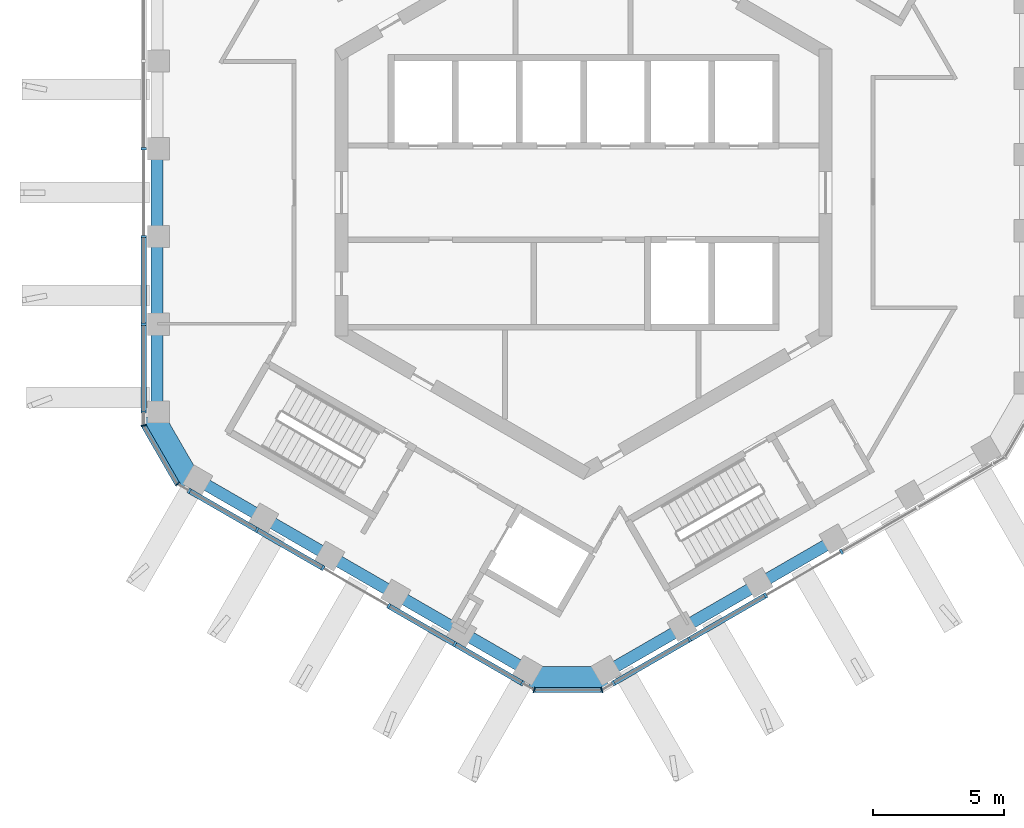
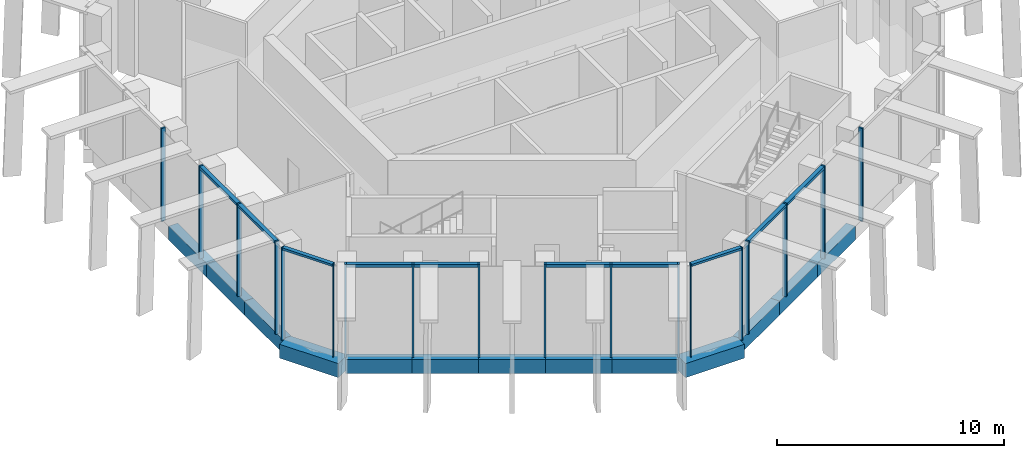
# One storey, part 2 of 17: 24 members, 13 beams, 5 elements without a shape of their own.
"""IFC4 building model written with IfcOpenShell, lengths in metres."""

import ifcopenshell
import ifcopenshell.guid

model = None  # the IFC model being written
_history = None  # IfcOwnerHistory: only IFC2X3 demands one
_inside = {}  # id of a spatial element -> (the spatial element, [elements in it])
_under = {}  # id of a project, library or spatial element -> (it, [spatial elements below it])
_declared = {}  # id of a project -> (the project, [libraries it declares])
_typed = {}  # id of a type object -> (the type object, [elements of that type])
_made_of = {}  # id of a material, layer set ... -> (it, [elements and type objects made of it])


def new_model(schema):
    """Start an empty IFC model of exactly this schema.

    Asked for "IFC4X3", IfcOpenShell would pick the latest addendum, in which some entities
    have other attributes; the version numbers below select the first issue.
    IFC2X3 requires an IfcOwnerHistory on every rooted entity: one is made here for all.
    """
    global model, _history
    if schema == "IFC4X3":
        model = ifcopenshell.file(schema_version=(4, 3, 0, 0))
    else:
        model = ifcopenshell.file(schema=schema)
    _inside.clear()
    _under.clear()
    _declared.clear()
    _typed.clear()
    _made_of.clear()
    _history = None
    if model.schema == "IFC2X3":
        org = make("IfcOrganization", Name="unknown")
        user = make(
            "IfcPersonAndOrganization",
            ThePerson=make("IfcPerson", FamilyName="unknown"),
            TheOrganization=org,
        )
        app = make(
            "IfcApplication",
            ApplicationDeveloper=org,
            Version="unknown",
            ApplicationFullName="unknown",
            ApplicationIdentifier="unknown",
        )
        _history = make(
            "IfcOwnerHistory",
            OwningUser=user,
            OwningApplication=app,
            ChangeAction="ADDED",
            CreationDate=0,
        )
    return model


def make(cls, **values):
    """One entity of the class cls with the attributes given. An attribute that is None is left unset."""
    return model.create_entity(
        cls, **{name: value for name, value in values.items() if value is not None}
    )


def rooted(cls, **values):
    """An entity with a GlobalId (a new one), such as an element, a storey or a relation."""
    return make(cls, GlobalId=ifcopenshell.guid.new(), OwnerHistory=_history, **values)


def si_unit(unit_type, name, prefix=None):
    """IfcSIUnit, for example si_unit("LENGTHUNIT", "METRE", prefix="MILLI")."""
    return make("IfcSIUnit", UnitType=unit_type, Prefix=prefix, Name=name)


def assignment(units):
    """IfcUnitAssignment: the units of a project."""
    return None if units is None else make("IfcUnitAssignment", Units=units)


def point(xyz):
    """IfcCartesianPoint."""
    return None if xyz is None else make("IfcCartesianPoint", Coordinates=xyz)


def direction(xyz):
    """IfcDirection."""
    return None if xyz is None else make("IfcDirection", DirectionRatios=xyz)


def frame(location, z_axis=None, x_axis=None):
    """IfcAxis2Placement3D, a coordinate frame: its origin and axes. An axis left out is left unset."""
    return make(
        "IfcAxis2Placement3D",
        Location=point(location),
        Axis=direction(z_axis),
        RefDirection=direction(x_axis),
    )


def frame_2d(location, x_axis=None):
    """IfcAxis2Placement2D, a coordinate frame in the plane: its origin and x axis."""
    return make(
        "IfcAxis2Placement2D", Location=point(location), RefDirection=direction(x_axis)
    )


def origin():
    """The frame at (0, 0, 0) with its axes left unset."""
    return frame((0.0, 0.0, 0.0))


def origin_2d():
    """The frame at (0, 0) in the plane with its x axis left unset."""
    return frame_2d((0.0, 0.0))


def place(relative_to, where):
    """IfcLocalPlacement: puts the frame where relative to a parent placement (None: the world)."""
    return make(
        "IfcLocalPlacement", PlacementRelTo=relative_to, RelativePlacement=where
    )


def context(
    kind, dimensions, precision=None, world=None, true_north=None, identifier=None
):
    """IfcGeometricRepresentationContext, for example the 3D "Model" context."""
    return make(
        "IfcGeometricRepresentationContext",
        ContextIdentifier=identifier,
        ContextType=kind,
        CoordinateSpaceDimension=dimensions,
        Precision=precision,
        WorldCoordinateSystem=world,
        TrueNorth=true_north,
    )


def subcontext(parent, identifier, kind, view, scale=None):
    """IfcGeometricRepresentationSubContext, for example "Body" below "Model"."""
    return make(
        "IfcGeometricRepresentationSubContext",
        ContextIdentifier=identifier,
        ContextType=kind,
        ParentContext=parent,
        TargetScale=scale,
        TargetView=view,
    )


def project(units=None, contexts=None):
    """IfcProject with its units and contexts."""
    return rooted(
        "IfcProject",
        Name="project",
        RepresentationContexts=contexts,
        UnitsInContext=assignment(units),
    )


def spatial(cls, under=None, at=None, **own):
    """A site, building, storey or space (cls), placed at a placement, below another one or the project."""
    s = rooted(cls, ObjectPlacement=at, **own)
    if under is not None:
        _under.setdefault(under.id(), (under, []))[1].append(s)
    return s


def profile(cls, at=None, kind="AREA", **sizes):
    """A parametric profile (cls). Its sizes go by their IFC names, for example OverallWidth=200.0."""
    return make(cls, ProfileType=kind, Position=at, **sizes)


def rectangle(**sizes):
    """IfcRectangleProfileDef."""
    return profile("IfcRectangleProfileDef", **sizes)


def extrude(swept, where, along, depth):
    """IfcExtrudedAreaSolid: the profile swept, set in the frame where, extruded along a direction by depth."""
    return make(
        "IfcExtrudedAreaSolid",
        SweptArea=swept,
        Position=where,
        ExtrudedDirection=direction(along),
        Depth=depth,
    )


def shape(context_of_items, identifier, shape_type, items):
    """IfcShapeRepresentation: the items that make up one representation, for example the "Body"."""
    return make(
        "IfcShapeRepresentation",
        ContextOfItems=context_of_items,
        RepresentationIdentifier=identifier,
        RepresentationType=shape_type,
        Items=items,
    )


def material(Name=None, Category=None):
    """IfcMaterial."""
    return make("IfcMaterial", Name=Name, Category=Category)


def layer(
    of_material, thickness, ventilated=None, Name=None, Category=None, Priority=None
):
    """IfcMaterialLayer: one layer of a wall or slab, of a material (None: an air gap)."""
    return make(
        "IfcMaterialLayer",
        Material=of_material,
        LayerThickness=thickness,
        IsVentilated=ventilated,
        Name=Name,
        Category=Category,
        Priority=Priority,
    )


def layer_set(layers, Name=None):
    """IfcMaterialLayerSet."""
    return make("IfcMaterialLayerSet", MaterialLayers=layers, LayerSetName=Name)


def material_profile(
    of_material, cross_section, Name=None, Category=None, Priority=None
):
    """IfcMaterialProfile: a cross section and its material."""
    return make(
        "IfcMaterialProfile",
        Name=Name,
        Material=of_material,
        Profile=cross_section,
        Priority=Priority,
        Category=Category,
    )


def profile_set(profiles, Name=None, composite=None):
    """IfcMaterialProfileSet."""
    return make(
        "IfcMaterialProfileSet",
        Name=Name,
        MaterialProfiles=profiles,
        CompositeProfile=composite,
    )


def made_of(thing, what):
    """Note that an element or type object is made of a material, layer set ...; save() writes the relation."""
    if what is not None:
        _made_of.setdefault(what.id(), (what, []))[1].append(thing)
    return thing


def type_object(cls, material=None, **own):
    """A type object (cls), such as IfcWallType, which elements share."""
    return made_of(rooted(cls, **own), material)


def element(
    cls,
    number,
    at=None,
    inside=None,
    cuts=None,
    type_object=None,
    material=None,
    context=None,
    identifier="Body",
    shape_type=None,
    held_by="IfcProductDefinitionShape",
    body=None,
    shapes=None,
    **own,
):
    """One element of the class cls, such as IfcWall. Its Tag is "e" and its number.

    at: its placement. inside: the storey or other place that contains it. cuts: it is an
    opening in that element (IfcRelVoidsElement). A single representation is given by context,
    identifier, shape_type and body (its items); several are given by shapes. held_by: the class
    of the entity that holds the representations. save() writes the other relations.
    """
    e = rooted(cls, Tag="e%d" % number, ObjectPlacement=at, **own)
    if body is not None:
        shapes = [shape(context, identifier, shape_type, body)]
    if shapes is not None:
        e.Representation = make(held_by, Representations=shapes)
    if inside is not None:
        _inside.setdefault(inside.id(), (inside, []))[1].append(e)
    if cuts is not None:
        rooted(
            "IfcRelVoidsElement", RelatingBuildingElement=cuts, RelatedOpeningElement=e
        )
    if type_object is not None:
        _typed.setdefault(type_object.id(), (type_object, []))[1].append(e)
    return made_of(e, material)


def aggregate(whole, parts):
    """IfcRelAggregates: a whole, such as a stair, and the parts it consists of."""
    return rooted("IfcRelAggregates", RelatingObject=whole, RelatedObjects=parts)


def save(model, path):
    """Write the relations noted so far, then the file.

    IfcRelAggregates (storeys below a building ...), IfcRelContainedInSpatialStructure (elements
    in a storey), IfcRelDefinesByType, IfcRelAssociatesMaterial and IfcRelDeclares: one each for
    every whole, place, type object, material and project.
    """
    for whole, parts in _under.values():
        aggregate(whole, parts)
    for where, things in _inside.values():
        rooted(
            "IfcRelContainedInSpatialStructure",
            RelatedElements=things,
            RelatingStructure=where,
        )
    for kind, things in _typed.values():
        rooted("IfcRelDefinesByType", RelatedObjects=things, RelatingType=kind)
    for what, things in _made_of.values():
        rooted("IfcRelAssociatesMaterial", RelatedObjects=things, RelatingMaterial=what)
    for by, libraries in _declared.values():
        rooted("IfcRelDeclares", RelatingContext=by, RelatedDefinitions=libraries)
    model.write(path)


model = new_model("IFC4")

# Units and contexts
model_context = context("Model", 3, precision=1e-05, world=origin(), true_north=direction((0.0, 1.0)))
body_context = subcontext(model_context, "Body", "Model", "MODEL_VIEW")
ifc_project = project(units=[si_unit("LENGTHUNIT", "METRE"), si_unit("AREAUNIT", "SQUARE_METRE"), si_unit("VOLUMEUNIT", "CUBIC_METRE"), si_unit("PLANEANGLEUNIT", "RADIAN"), si_unit("MASSUNIT", "GRAM", prefix="KILO")], contexts=[model_context])

# Site, building, storey
site_placement = place(None, origin())
site = spatial("IfcSite", under=ifc_project, at=site_placement, CompositionType="ELEMENT")
building_placement = place(site_placement, origin())
building = spatial("IfcBuilding", under=site, at=building_placement, Name="Ayvan Gate Tower", CompositionType="ELEMENT")
storey_placement = place(building_placement, frame((0.0, 0.0, 252.89990234375)))
storey = spatial("IfcBuildingStorey", under=building, at=storey_placement, Name="L68", CompositionType="ELEMENT", Elevation=252.89990234375)

# Beams
ifc_material_1 = material(Name="Concrete C40/50", Category="concrete")
ifc_material_profile_1 = material_profile(ifc_material_1, rectangle(XDim=0.800048828125, YDim=0.75, at=origin_2d()), Name="RC 800x750")
ifc_profile_set_1 = profile_set([ifc_material_profile_1], Name="Concrete C40/50")
beam_type_1 = type_object("IfcBeamType", Name="Corner spandrel beam RC 800x750 C40/50", PredefinedType="BEAM", material=ifc_profile_set_1)
beam_1_placement = place(storey_placement, frame((-16.498046875, -8.462890625, -0.77490234375), z_axis=(0.50002537861, -0.866010750942, 0.0), x_axis=(0.866010750942, 0.50002537861, 0.0)))
element("IfcBeam", 1, at=beam_1_placement, inside=storey, type_object=beam_type_1, Name="SB-L68-24", PredefinedType="BEAM", context=body_context, shape_type="SweptSolid", body=[
    extrude(rectangle(XDim=0.800048828125, YDim=0.75, at=origin_2d()), origin(), (0.0, 0.0, 1.0), 2.999755859375),
])
beam_2_placement = place(storey_placement, frame((-2.079833984375, -18.51904296875, -0.77490234375), z_axis=(1.0, 0.0, 0.0), x_axis=(0.0, 1.0, 0.0)))
element("IfcBeam", 2, at=beam_2_placement, inside=storey, type_object=beam_type_1, Name="SB-L68-30", PredefinedType="BEAM", context=body_context, shape_type="SweptSolid", body=[
    extrude(rectangle(XDim=0.800048828125, YDim=0.75, at=origin_2d()), origin(), (0.0, 0.0, 1.0), 3.0),
])
ifc_material_profile_2 = material_profile(ifc_material_1, rectangle(XDim=0.449951171875, YDim=0.75, at=origin_2d()), Name="RC 450x750")
ifc_profile_set_2 = profile_set([ifc_material_profile_2], Name="Concrete C40/50")
beam_type_2 = type_object("IfcBeamType", Name="Spandrel beam RC 450x750 C40/50", PredefinedType="BEAM", material=ifc_profile_set_2)
beam_3_placement = place(storey_placement, frame((-16.3076171875, 1.670654296875, -0.77490234375), z_axis=(0.0, -1.0, 0.0), x_axis=(1.0, 0.0, 0.0)))
element("IfcBeam", 3, at=beam_3_placement, inside=storey, type_object=beam_type_2, Name="SB-L68-21", PredefinedType="BEAM", context=body_context, shape_type="SweptSolid", body=[
    extrude(rectangle(XDim=0.449951171875, YDim=0.75, at=origin_2d()), origin(), (0.0, 0.0, 1.0), 3.34130859375),
])
for number, where, z_axis, x_axis, name in (
    (4, (-16.3076171875, -1.670654296875, -0.77490234375), (0.0, -1.0, 0.0), (1.0, 0.0, 0.0), "SB-L68-22"),
    (5, (-16.3076171875, -5.01171875, -0.77490234375), (0.0, -1.0, 0.0), (1.0, 0.0, 0.0), "SB-L68-23"),
):
    element("IfcBeam", number, at=place(storey_placement, frame(where, z_axis=z_axis, x_axis=x_axis)), inside=storey, type_object=beam_type_2, Name=name, PredefinedType="BEAM", context=body_context, shape_type="SweptSolid", body=[
        extrude(rectangle(XDim=0.449951171875, YDim=0.75, at=origin_2d()), origin(), (0.0, 0.0, 1.0), 3.341064453125),
    ])
beam_4_placement = place(storey_placement, frame((-14.8076171875, -10.950927734375, -0.77490234375), z_axis=(0.866062491445, -0.499935756786, 0.0), x_axis=(0.499935756786, 0.866062491445, 0.0)))
element("IfcBeam", 6, at=beam_4_placement, inside=storey, type_object=beam_type_2, Name="SB-L68-25", PredefinedType="BEAM", context=body_context, shape_type="SweptSolid", body=[
    extrude(rectangle(XDim=0.449951171875, YDim=0.75, at=origin_2d()), origin(), (0.0, 0.0, 1.0), 2.939453125),
])
beam_5_placement = place(storey_placement, frame((-12.261962890625, -12.42041015625, -0.77490234375), z_axis=(0.866005761797, -0.500034019377, 0.0), x_axis=(0.500034019377, 0.866005761797, 0.0)))
element("IfcBeam", 7, at=beam_5_placement, inside=storey, type_object=beam_type_2, Name="SB-L68-26", PredefinedType="BEAM", context=body_context, shape_type="SweptSolid", body=[
    extrude(rectangle(XDim=0.449951171875, YDim=0.75, at=origin_2d()), origin(), (0.0, 0.0, 1.0), 2.939208984375),
])
beam_6_placement = place(storey_placement, frame((-9.716552734375, -13.89013671875, -0.77490234375), z_axis=(0.866026527915, -0.499998052944, 0.0), x_axis=(0.499998052944, 0.866026527915, 0.0)))
element("IfcBeam", 8, at=beam_6_placement, inside=storey, type_object=beam_type_2, Name="SB-L68-27", PredefinedType="BEAM", context=body_context, shape_type="SweptSolid", body=[
    extrude(rectangle(XDim=0.449951171875, YDim=0.75, at=origin_2d()), origin(), (0.0, 0.0, 1.0), 2.939453125),
])
beam_7_placement = place(storey_placement, frame((-7.1708984375, -15.35986328125, -0.77490234375), z_axis=(0.866005761797, -0.500034019377, 0.0), x_axis=(0.500034019377, 0.866005761797, 0.0)))
element("IfcBeam", 9, at=beam_7_placement, inside=storey, type_object=beam_type_2, Name="SB-L68-28", PredefinedType="BEAM", context=body_context, shape_type="SweptSolid", body=[
    extrude(rectangle(XDim=0.449951171875, YDim=0.75, at=origin_2d()), origin(), (0.0, 0.0, 1.0), 2.939208984375),
])
beam_8_placement = place(storey_placement, frame((-4.62548828125, -16.82958984375, -0.77490234375), z_axis=(0.866062491445, -0.499935756786, 0.0), x_axis=(0.499935756786, 0.866062491445, 0.0)))
element("IfcBeam", 10, at=beam_8_placement, inside=storey, type_object=beam_type_2, Name="SB-L68-29", PredefinedType="BEAM", context=body_context, shape_type="SweptSolid", body=[
    extrude(rectangle(XDim=0.449951171875, YDim=0.75, at=origin_2d()), origin(), (0.0, 0.0, 1.0), 2.939453125),
])
beam_9_placement = place(storey_placement, frame((0.920166015625, -18.299072265625, -0.77490234375), z_axis=(0.866031037473, 0.499990242038, 0.0), x_axis=(-0.499990242038, 0.866031037473, 0.0)))
element("IfcBeam", 11, at=beam_9_placement, inside=storey, type_object=beam_type_2, Name="SB-L68-31", PredefinedType="BEAM", context=body_context, shape_type="SweptSolid", body=[
    extrude(rectangle(XDim=0.449951171875, YDim=0.75, at=origin_2d()), origin(), (0.0, 0.0, 1.0), 3.3408203125),
])
for number, where, z_axis, x_axis, name in (
    (12, (3.8134765625, -16.628662109375, -0.77490234375), (0.866017664247, 0.500013405032, 0.0), (-0.500013405032, 0.866017664247, 0.0), "SB-L68-32"),
    (13, (6.70703125, -14.9580078125, -0.77490234375), (0.866017664247, 0.500013405032, 0.0), (-0.500013405032, 0.866017664247, 0.0), "SB-L68-33"),
):
    element("IfcBeam", number, at=place(storey_placement, frame(where, z_axis=z_axis, x_axis=x_axis)), inside=storey, type_object=beam_type_2, Name=name, PredefinedType="BEAM", context=body_context, shape_type="SweptSolid", body=[
        extrude(rectangle(XDim=0.449951171875, YDim=0.75, at=origin_2d()), origin(), (0.0, 0.0, 1.0), 3.34130859375),
    ])

# Curtain wall, members
ifc_material_2 = material(Name="Bronze anodised aluminium", Category="aluminium")
ifc_layer_1 = layer(ifc_material_2, 0.199951171875)
ifc_layer_set_1 = layer_set([ifc_layer_1], Name="Bronze anodised aluminium")
curtain_wall_type_1 = type_object("IfcCurtainWallType", Name="Stick curtain wall CW-5", PredefinedType="NOTDEFINED", material=ifc_layer_set_1)
curtain_wall_1_placement = place(storey_placement, origin())
curtain_wall_1 = element("IfcCurtainWall", 14, at=curtain_wall_1_placement, inside=storey, type_object=curtain_wall_type_1, Name="Stick curtain wall CW-5 L68", PredefinedType="NOTDEFINED")
ifc_material_profile_3 = material_profile(ifc_material_2, rectangle(XDim=0.199951171875, YDim=0.090087890625, at=origin_2d()), Name="Stick curtain wall CW-5 mullion 200 x 90")
ifc_profile_set_3 = profile_set([ifc_material_profile_3], Name="Bronze anodised aluminium")
member_type_1 = type_object("IfcMemberType", Name="Stick curtain wall CW-5 mullion 200 x 90", PredefinedType="MULLION", material=ifc_profile_set_3)
member_1_placement = place(storey_placement, frame((-16.819091796875, 1.6767578125, 0.0), z_axis=(0.0, 0.0, 1.0), x_axis=(-1.0, 0.0, 0.0)))
member_1 = element("IfcMember", 15, at=member_1_placement, type_object=member_type_1, Name="CW-5 mullion 3", PredefinedType="MULLION", context=body_context, shape_type="SweptSolid", body=[
    extrude(rectangle(XDim=0.199951171875, YDim=0.090087890625, at=origin_2d()), origin(), (0.0, 0.0, 1.0), 5.0),
])
member_2_placement = place(storey_placement, frame((-16.819091796875, -1.67724609375, 0.0), z_axis=(0.0, 0.0, 1.0), x_axis=(-1.0, 0.0, 0.0)))
member_2 = element("IfcMember", 16, at=member_2_placement, type_object=member_type_1, Name="CW-5 mullion 4", PredefinedType="MULLION", context=body_context, shape_type="SweptSolid", body=[
    extrude(rectangle(XDim=0.199951171875, YDim=0.090087890625, at=origin_2d()), origin(), (0.0, 0.0, 1.0), 5.0),
])
member_3_placement = place(storey_placement, frame((-16.819091796875, -5.03125, 0.0), z_axis=(0.0, 0.0, 1.0), x_axis=(-1.0, 0.0, 0.0)))
member_3 = element("IfcMember", 17, at=member_3_placement, type_object=member_type_1, Name="CW-5 mullion 5", PredefinedType="MULLION", context=body_context, shape_type="SweptSolid", body=[
    extrude(rectangle(XDim=0.199951171875, YDim=0.090087890625, at=origin_2d()), origin(), (0.0, 0.0, 1.0), 5.0),
])
member_4_placement = place(storey_placement, frame((-16.819091796875, -8.384765625, 0.0), z_axis=(0.0, 0.0, 1.0), x_axis=(-1.0, 0.0, 0.0)))
member_4 = element("IfcMember", 18, at=member_4_placement, type_object=member_type_1, Name="CW-5 mullion 6", PredefinedType="MULLION", context=body_context, shape_type="SweptSolid", body=[
    extrude(rectangle(XDim=0.199951171875, YDim=0.090087890625, at=origin_2d()), origin(), (0.0, 0.0, 1.0), 5.0),
])

curtain_wall_2_placement = place(storey_placement, origin())
curtain_wall_2 = element("IfcCurtainWall", 19, at=curtain_wall_2_placement, inside=storey, type_object=curtain_wall_type_1, Name="Stick curtain wall CW-5 L68", PredefinedType="NOTDEFINED")
member_5_placement = place(storey_placement, frame((-15.077392578125, -11.4013671875, 0.0), z_axis=(0.0, 0.0, 1.0), x_axis=(-0.5, -0.866025403784, 0.0)))
member_5 = element("IfcMember", 20, at=member_5_placement, type_object=member_type_1, Name="CW-5 mullion 1", PredefinedType="MULLION", context=body_context, shape_type="SweptSolid", body=[
    extrude(rectangle(XDim=0.199951171875, YDim=0.090087890625, at=origin_2d()), origin(), (0.0, 0.0, 1.0), 5.0),
])
member_6_placement = place(storey_placement, frame((-12.490478515625, -12.894775390625, 0.0), z_axis=(0.0, 0.0, 1.0), x_axis=(-0.5, -0.866025403784, 0.0)))
member_6 = element("IfcMember", 21, at=member_6_placement, type_object=member_type_1, Name="CW-5 mullion 2", PredefinedType="MULLION", context=body_context, shape_type="SweptSolid", body=[
    extrude(rectangle(XDim=0.199951171875, YDim=0.090087890625, at=origin_2d()), origin(), (0.0, 0.0, 1.0), 5.0),
])
member_7_placement = place(storey_placement, frame((-9.9677734375, -14.351318359375, 0.0), z_axis=(0.0, 0.0, 1.0), x_axis=(-0.5, -0.866025403784, 0.0)))
member_7 = element("IfcMember", 22, at=member_7_placement, type_object=member_type_1, Name="CW-5 mullion 3", PredefinedType="MULLION", context=body_context, shape_type="SweptSolid", body=[
    extrude(rectangle(XDim=0.199951171875, YDim=0.090087890625, at=origin_2d()), origin(), (0.0, 0.0, 1.0), 5.0),
])
member_8_placement = place(storey_placement, frame((-7.445068359375, -15.807861328125, 0.0), z_axis=(0.0, 0.0, 1.0), x_axis=(-0.5, -0.866025403784, 0.0)))
member_8 = element("IfcMember", 23, at=member_8_placement, type_object=member_type_1, Name="CW-5 mullion 4", PredefinedType="MULLION", context=body_context, shape_type="SweptSolid", body=[
    extrude(rectangle(XDim=0.199951171875, YDim=0.090087890625, at=origin_2d()), origin(), (0.0, 0.0, 1.0), 5.0),
])
member_9_placement = place(storey_placement, frame((-4.92236328125, -17.26416015625, 0.0), z_axis=(0.0, 0.0, 1.0), x_axis=(-0.5, -0.866025403784, 0.0)))
member_9 = element("IfcMember", 24, at=member_9_placement, type_object=member_type_1, Name="CW-5 mullion 5", PredefinedType="MULLION", context=body_context, shape_type="SweptSolid", body=[
    extrude(rectangle(XDim=0.199951171875, YDim=0.090087890625, at=origin_2d()), origin(), (0.0, 0.0, 1.0), 5.0),
])
member_10_placement = place(storey_placement, frame((-2.335205078125, -18.758056640625, 0.0), z_axis=(0.0, 0.0, 1.0), x_axis=(-0.5, -0.866025403784, 0.0)))
member_10 = element("IfcMember", 25, at=member_10_placement, type_object=member_type_1, Name="CW-5 mullion 6", PredefinedType="MULLION", context=body_context, shape_type="SweptSolid", body=[
    extrude(rectangle(XDim=0.199951171875, YDim=0.090087890625, at=origin_2d()), origin(), (0.0, 0.0, 1.0), 5.0),
])

curtain_wall_3_placement = place(storey_placement, origin())
curtain_wall_3 = element("IfcCurtainWall", 26, at=curtain_wall_3_placement, inside=storey, type_object=curtain_wall_type_1, Name="Stick curtain wall CW-5 L68", PredefinedType="NOTDEFINED")
member_11_placement = place(storey_placement, frame((1.148193359375, -18.758056640625, 0.0), z_axis=(0.0, 0.0, 1.0), x_axis=(0.5, -0.866025403784, 0.0)))
member_11 = element("IfcMember", 27, at=member_11_placement, type_object=member_type_1, Name="CW-5 mullion 1", PredefinedType="MULLION", context=body_context, shape_type="SweptSolid", body=[
    extrude(rectangle(XDim=0.199951171875, YDim=0.090087890625, at=origin_2d()), origin(), (0.0, 0.0, 1.0), 5.0),
])
member_12_placement = place(storey_placement, frame((4.052001953125, -17.08154296875, 0.0), z_axis=(0.0, 0.0, 1.0), x_axis=(0.5, -0.866025403784, 0.0)))
member_12 = element("IfcMember", 28, at=member_12_placement, type_object=member_type_1, Name="CW-5 mullion 2", PredefinedType="MULLION", context=body_context, shape_type="SweptSolid", body=[
    extrude(rectangle(XDim=0.199951171875, YDim=0.090087890625, at=origin_2d()), origin(), (0.0, 0.0, 1.0), 5.0),
])
member_13_placement = place(storey_placement, frame((6.95751953125, -15.404052734375, 0.0), z_axis=(0.0, 0.0, 1.0), x_axis=(0.5, -0.866025403784, 0.0)))
member_13 = element("IfcMember", 29, at=member_13_placement, type_object=member_type_1, Name="CW-5 mullion 3", PredefinedType="MULLION", context=body_context, shape_type="SweptSolid", body=[
    extrude(rectangle(XDim=0.199951171875, YDim=0.090087890625, at=origin_2d()), origin(), (0.0, 0.0, 1.0), 5.0),
])
member_14_placement = place(storey_placement, frame((9.862060546875, -13.72705078125, 0.0), z_axis=(0.0, 0.0, 1.0), x_axis=(0.5, -0.866025403784, 0.0)))
member_14 = element("IfcMember", 30, at=member_14_placement, type_object=member_type_1, Name="CW-5 mullion 4", PredefinedType="MULLION", context=body_context, shape_type="SweptSolid", body=[
    extrude(rectangle(XDim=0.199951171875, YDim=0.090087890625, at=origin_2d()), origin(), (0.0, 0.0, 1.0), 5.0),
])

# Member
ifc_material_profile_4 = material_profile(ifc_material_2, rectangle(XDim=0.199951171875, YDim=0.14990234375, at=origin_2d()), Name="Stick curtain wall CW-5 transom 200 x 150")
ifc_profile_set_4 = profile_set([ifc_material_profile_4], Name="Bronze anodised aluminium")
member_type_2 = type_object("IfcMemberType", Name="Stick curtain wall CW-5 transom 200 x 150", PredefinedType="USERDEFINED", material=ifc_profile_set_4)
member_15_placement = place(storey_placement, frame((-16.819091796875, -1.722412109375, 4.925048828125), z_axis=(0.0, -1.0, 0.0), x_axis=(1.0, 0.0, 0.0)))
member_15 = element("IfcMember", 31, at=member_15_placement, type_object=member_type_2, Name="CW-5 transom 2", ObjectType="TRANSOM", PredefinedType="USERDEFINED", context=body_context, shape_type="SweptSolid", body=[
    extrude(rectangle(XDim=0.199951171875, YDim=0.14990234375, at=origin_2d()), origin(), (0.0, 0.0, 1.0), 6.662353515625),
])

aggregate(curtain_wall_1, [member_1, member_2, member_3, member_4, member_15])

member_16_placement = place(storey_placement, frame((-15.077392578125, -11.4013671875, 4.925048828125), z_axis=(0.866025182435, -0.500000383388, 0.0), x_axis=(0.500000383388, 0.866025182435, 0.0)))
member_16 = element("IfcMember", 32, at=member_16_placement, type_object=member_type_2, Name="CW-5 transom 1", ObjectType="TRANSOM", PredefinedType="USERDEFINED", context=body_context, shape_type="SweptSolid", body=[
    extrude(rectangle(XDim=0.199951171875, YDim=0.14990234375, at=origin_2d()), origin(), (0.0, 0.0, 1.0), 5.85498046875),
])

member_17_placement = place(storey_placement, frame((-7.40625, -15.830322265625, 4.925048828125), z_axis=(0.866027975419, -0.499995545772, 0.0), x_axis=(0.499995545772, 0.866027975419, 0.0)))
member_17 = element("IfcMember", 33, at=member_17_placement, type_object=member_type_2, Name="CW-5 transom 2", ObjectType="TRANSOM", PredefinedType="USERDEFINED", context=body_context, shape_type="SweptSolid", body=[
    extrude(rectangle(XDim=0.199951171875, YDim=0.14990234375, at=origin_2d()), origin(), (0.0, 0.0, 1.0), 5.85546875),
])

aggregate(curtain_wall_2, [member_5, member_6, member_7, member_8, member_9, member_10, member_16, member_17])

member_18_placement = place(storey_placement, frame((1.148193359375, -18.758056640625, 4.925048828125), z_axis=(0.866020225204, 0.500008969458, 0.0), x_axis=(-0.500008969458, 0.866020225204, 0.0)))
member_18 = element("IfcMember", 34, at=member_18_placement, type_object=member_type_2, Name="CW-5 transom 1", ObjectType="TRANSOM", PredefinedType="USERDEFINED", context=body_context, shape_type="SweptSolid", body=[
    extrude(rectangle(XDim=0.199951171875, YDim=0.14990234375, at=origin_2d()), origin(), (0.0, 0.0, 1.0), 6.6630859375),
])

aggregate(curtain_wall_3, [member_11, member_12, member_13, member_14, member_18])

# Curtain wall, members
ifc_layer_2 = layer(ifc_material_2, 0.199951171875)
ifc_layer_set_2 = layer_set([ifc_layer_2], Name="Bronze anodised aluminium")
curtain_wall_type_2 = type_object("IfcCurtainWallType", Name="Stick curtain wall CW-6", PredefinedType="NOTDEFINED", material=ifc_layer_set_2)
curtain_wall_4_placement = place(storey_placement, origin())
curtain_wall_4 = element("IfcCurtainWall", 35, at=curtain_wall_4_placement, inside=storey, type_object=curtain_wall_type_2, Name="Stick curtain wall CW-6 L68", PredefinedType="NOTDEFINED")
ifc_material_profile_5 = material_profile(ifc_material_2, rectangle(XDim=0.199951171875, YDim=0.050048828125, at=origin_2d()), Name="Stick curtain wall CW-6 mullion 200 x 50")
ifc_profile_set_5 = profile_set([ifc_material_profile_5], Name="Bronze anodised aluminium")
member_type_3 = type_object("IfcMemberType", Name="Stick curtain wall CW-6 mullion 200 x 50", PredefinedType="MULLION", material=ifc_profile_set_5)
member_19_placement = place(storey_placement, frame((-16.819091796875, -8.90478515625, 0.0), z_axis=(0.0, 0.0, 1.0), x_axis=(-0.965925826289, -0.258819045103, 0.0)))
member_19 = element("IfcMember", 36, at=member_19_placement, type_object=member_type_3, Name="CW-6 mullion 2", PredefinedType="MULLION", context=body_context, shape_type="SweptSolid", body=[
    extrude(rectangle(XDim=0.199951171875, YDim=0.050048828125, at=origin_2d()), origin(), (0.0, 0.0, 1.0), 5.0),
])
member_20_placement = place(storey_placement, frame((-15.52783203125, -11.141357421875, 0.0), z_axis=(0.0, 0.0, 1.0), x_axis=(-0.707106781187, -0.707106781187, 0.0)))
member_20 = element("IfcMember", 37, at=member_20_placement, type_object=member_type_3, Name="CW-6 mullion 3", PredefinedType="MULLION", context=body_context, shape_type="SweptSolid", body=[
    extrude(rectangle(XDim=0.199951171875, YDim=0.050048828125, at=origin_2d()), origin(), (0.0, 0.0, 1.0), 5.0),
])

curtain_wall_5_placement = place(storey_placement, origin())
curtain_wall_5 = element("IfcCurtainWall", 38, at=curtain_wall_5_placement, inside=storey, type_object=curtain_wall_type_2, Name="Stick curtain wall CW-6 L68", PredefinedType="NOTDEFINED")
member_21_placement = place(storey_placement, frame((-1.884765625, -19.01806640625, 0.0), z_axis=(0.0, 0.0, 1.0), x_axis=(-0.258819045103, -0.965925826289, 0.0)))
member_21 = element("IfcMember", 39, at=member_21_placement, type_object=member_type_3, Name="CW-6 mullion 2", PredefinedType="MULLION", context=body_context, shape_type="SweptSolid", body=[
    extrude(rectangle(XDim=0.199951171875, YDim=0.050048828125, at=origin_2d()), origin(), (0.0, 0.0, 1.0), 5.0),
])
member_22_placement = place(storey_placement, frame((0.69775390625, -19.01806640625, 0.0), z_axis=(0.0, 0.0, 1.0), x_axis=(0.258819045103, -0.965925826289, 0.0)))
member_22 = element("IfcMember", 40, at=member_22_placement, type_object=member_type_3, Name="CW-6 mullion 3", PredefinedType="MULLION", context=body_context, shape_type="SweptSolid", body=[
    extrude(rectangle(XDim=0.199951171875, YDim=0.050048828125, at=origin_2d()), origin(), (0.0, 0.0, 1.0), 5.0),
])

# Member
ifc_material_profile_6 = material_profile(ifc_material_2, rectangle(XDim=0.199951171875, YDim=0.1201171875, at=origin_2d()), Name="Stick curtain wall CW-6 transom 200 x 120")
ifc_profile_set_6 = profile_set([ifc_material_profile_6], Name="Bronze anodised aluminium")
member_type_4 = type_object("IfcMemberType", Name="Stick curtain wall CW-6 transom 200 x 120", PredefinedType="USERDEFINED", material=ifc_profile_set_6)
member_23_placement = place(storey_placement, frame((-16.806640625, -8.92626953125, 4.940185546875), z_axis=(0.500006158363, -0.866021848223, 0.0), x_axis=(0.866021848223, 0.500006158363, 0.0)))
member_23 = element("IfcMember", 41, at=member_23_placement, type_object=member_type_4, Name="CW-6 transom 2", ObjectType="TRANSOM", PredefinedType="USERDEFINED", context=body_context, shape_type="SweptSolid", body=[
    extrude(rectangle(XDim=0.199951171875, YDim=0.1201171875, at=origin_2d()), origin(), (0.0, 0.0, 1.0), 2.53271484375),
])

aggregate(curtain_wall_4, [member_19, member_20, member_23])

member_24_placement = place(storey_placement, frame((-1.85986328125, -19.01806640625, 4.940185546875), z_axis=(1.0, 0.0, 0.0), x_axis=(0.0, 1.0, 0.0)))
member_24 = element("IfcMember", 42, at=member_24_placement, type_object=member_type_4, Name="CW-6 transom 1", ObjectType="TRANSOM", PredefinedType="USERDEFINED", context=body_context, shape_type="SweptSolid", body=[
    extrude(rectangle(XDim=0.199951171875, YDim=0.1201171875, at=origin_2d()), origin(), (0.0, 0.0, 1.0), 2.53271484375),
])

aggregate(curtain_wall_5, [member_21, member_22, member_24])

save(model, "model.ifc")
